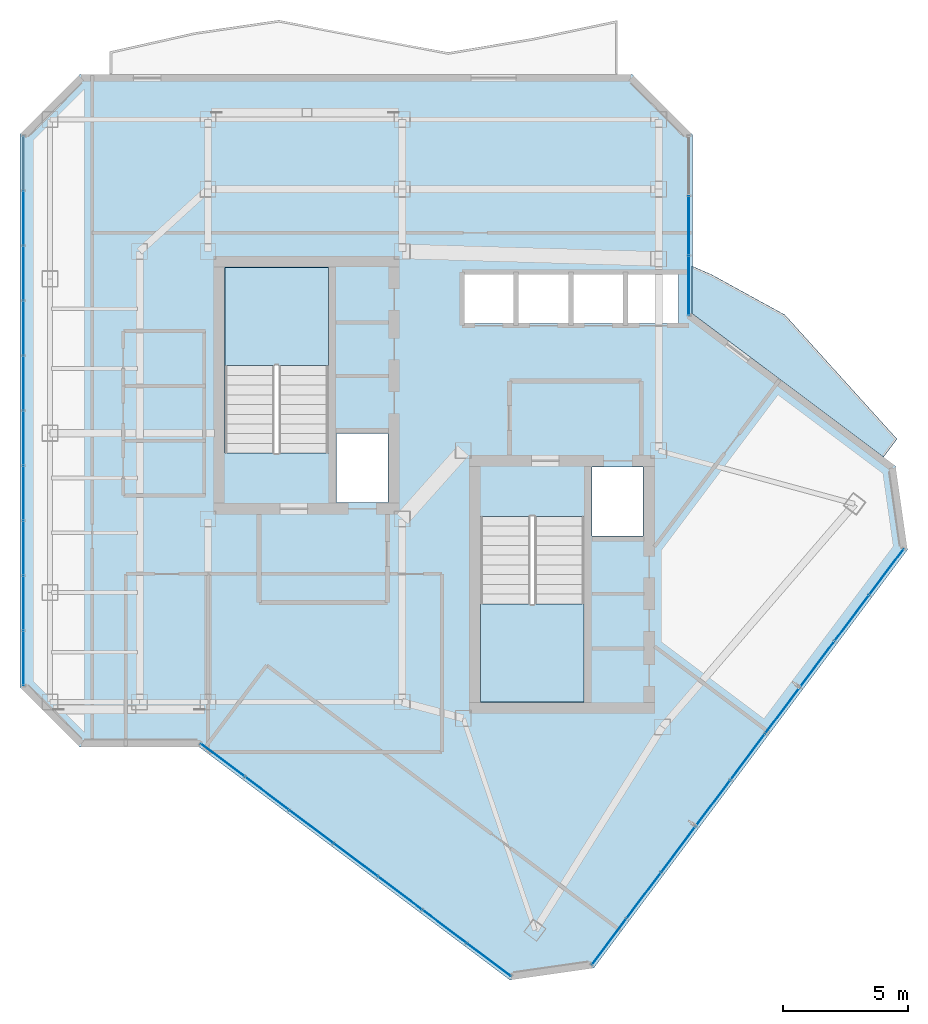
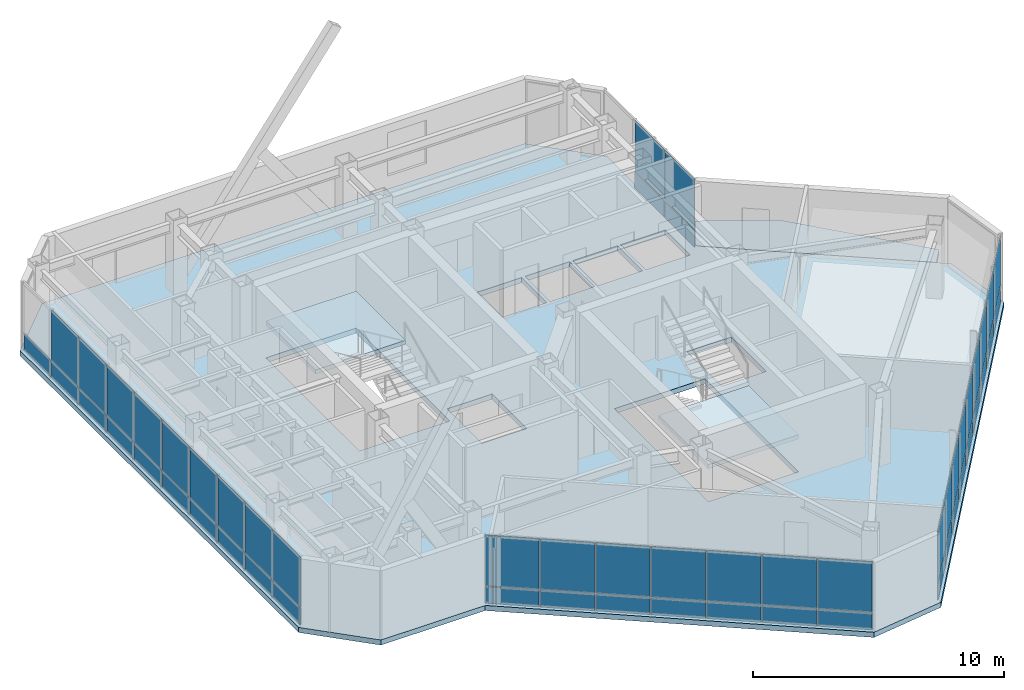
# One storey, part 16 of 22: 55 plates, 4 slabs, 6 elements without a shape of their own.
"""IFC4 building model written with IfcOpenShell, lengths in metres."""

from ifc_helpers import new_model, si_unit, direction, frame, origin, origin_2d, place, context, subcontext, project, spatial, polyline, rectangle, outline, extrude, material, layer, layer_set, type_object, element, aggregate, save


model = new_model("IFC4")

# Units and contexts
model_context = context("Model", 3, precision=1e-05, world=origin(), true_north=direction((0.0, 1.0)))
body_context = subcontext(model_context, "Body", "Model", "MODEL_VIEW")
ifc_project = project(units=[si_unit("LENGTHUNIT", "METRE"), si_unit("AREAUNIT", "SQUARE_METRE"), si_unit("VOLUMEUNIT", "CUBIC_METRE"), si_unit("PLANEANGLEUNIT", "RADIAN"), si_unit("MASSUNIT", "GRAM", prefix="KILO")], contexts=[model_context])

# Site, building, storey
site_placement = place(None, origin())
site = spatial("IfcSite", under=ifc_project, at=site_placement, CompositionType="ELEMENT")
building_placement = place(site_placement, origin())
building = spatial("IfcBuilding", under=site, at=building_placement, Name="Hatsunagi Terrace Concourse", CompositionType="ELEMENT")
storey_placement = place(building_placement, frame((0.0, 0.0, 239.550048828125)))
storey = spatial("IfcBuildingStorey", under=building, at=storey_placement, Name="L63", CompositionType="ELEMENT", Elevation=239.550048828125)

# Curtain wall, plates
ifc_material_1 = material(Name="Anodised Aluminium Alloy 6063-T5", Category="aluminium")
ifc_layer_1 = layer(ifc_material_1, 0.199951171875)
ifc_layer_set_1 = layer_set([ifc_layer_1], Name="OfficeZone2_CW04")
curtain_wall_type = type_object("IfcCurtainWallType", Name="OfficeZone2_CW04", PredefinedType="NOTDEFINED", material=ifc_layer_set_1)
curtain_wall_1_placement = place(storey_placement, origin())
curtain_wall_1 = element("IfcCurtainWall", 1, at=curtain_wall_1_placement, inside=storey, type_object=curtain_wall_type, Name="Unitised Curtain Wall CW-04 CW-L63-03", PredefinedType="NOTDEFINED")
ifc_material_2 = material(Name="Warm Terracotta Ceramic Spandrel Panel", Category="masonry")
ifc_layer_2 = layer(ifc_material_2, 0.031982421875)
ifc_layer_set_2 = layer_set([ifc_layer_2], Name="CurtainWallSpandrelPanel_32")
plate_type_1 = type_object("IfcPlateType", Name="CurtainWallSpandrelPanel_32", PredefinedType="SHEET", material=ifc_layer_set_2)
plate_1_placement = place(storey_placement, frame((52.797119140625, 30.429931640625, 0.030029296875), z_axis=(0.0, 0.0, 1.0), x_axis=(-0.599969314634, -0.800023013105, 0.0)))
plate_1 = element("IfcPlate", 2, at=plate_1_placement, type_object=plate_type_1, Name="Terracotta Spandrel Panel SPN-01", PredefinedType="SHEET", context=body_context, shape_type="SweptSolid", body=[
    extrude(rectangle(XDim=2.264892578125, YDim=0.031982421875, at=origin_2d()), origin(), (0.0, 0.0, 1.0), 0.7900390625),
])
plate_2_placement = place(storey_placement, frame((51.405029296875, 28.572998046875, 0.030029296875), z_axis=(0.0, 0.0, 1.0), x_axis=(-0.599969314634, -0.800023013105, 0.0)))
plate_2 = element("IfcPlate", 3, at=plate_2_placement, type_object=plate_type_1, Name="Terracotta Spandrel Panel SPN-01", PredefinedType="SHEET", context=body_context, shape_type="SweptSolid", body=[
    extrude(rectangle(XDim=2.264892578125, YDim=0.031982421875, at=origin_2d()), origin(), (0.0, 0.0, 1.0), 0.7900390625),
])
plate_3_placement = place(storey_placement, frame((50.011962890625, 26.717041015625, 0.030029296875), z_axis=(0.0, 0.0, 1.0), x_axis=(-0.599969314634, -0.800023013105, 0.0)))
plate_3 = element("IfcPlate", 4, at=plate_3_placement, type_object=plate_type_1, Name="Terracotta Spandrel Panel SPN-01", PredefinedType="SHEET", context=body_context, shape_type="SweptSolid", body=[
    extrude(rectangle(XDim=2.264892578125, YDim=0.031982421875, at=origin_2d()), origin(), (0.0, 0.0, 1.0), 0.7900390625),
])
plate_4_placement = place(storey_placement, frame((48.6201171875, 24.860107421875, 0.030029296875), z_axis=(0.0, 0.0, 1.0), x_axis=(-0.599969314634, -0.800023013105, 0.0)))
plate_4 = element("IfcPlate", 5, at=plate_4_placement, type_object=plate_type_1, Name="Terracotta Spandrel Panel SPN-01", PredefinedType="SHEET", context=body_context, shape_type="SweptSolid", body=[
    extrude(rectangle(XDim=2.264892578125, YDim=0.031982421875, at=origin_2d()), origin(), (0.0, 0.0, 1.0), 0.7900390625),
])
plate_5_placement = place(storey_placement, frame((47.22802734375, 23.00390625, 0.030029296875), z_axis=(0.0, 0.0, 1.0), x_axis=(-0.599969314634, -0.800023013105, 0.0)))
plate_5 = element("IfcPlate", 6, at=plate_5_placement, type_object=plate_type_1, Name="Terracotta Spandrel Panel SPN-01", PredefinedType="SHEET", context=body_context, shape_type="SweptSolid", body=[
    extrude(rectangle(XDim=2.264892578125, YDim=0.031982421875, at=origin_2d()), origin(), (0.0, 0.0, 1.0), 0.7900390625),
])
plate_6_placement = place(storey_placement, frame((45.8359375, 21.14794921875, 0.030029296875), z_axis=(0.0, 0.0, 1.0), x_axis=(-0.599969314634, -0.800023013105, 0.0)))
plate_6 = element("IfcPlate", 7, at=plate_6_placement, type_object=plate_type_1, Name="Terracotta Spandrel Panel SPN-01", PredefinedType="SHEET", context=body_context, shape_type="SweptSolid", body=[
    extrude(rectangle(XDim=2.264892578125, YDim=0.031982421875, at=origin_2d()), origin(), (0.0, 0.0, 1.0), 0.7900390625),
])
plate_7_placement = place(storey_placement, frame((44.444091796875, 19.291015625, 0.030029296875), z_axis=(0.0, 0.0, 1.0), x_axis=(-0.599969314634, -0.800023013105, 0.0)))
plate_7 = element("IfcPlate", 8, at=plate_7_placement, type_object=plate_type_1, Name="Terracotta Spandrel Panel SPN-01", PredefinedType="SHEET", context=body_context, shape_type="SweptSolid", body=[
    extrude(rectangle(XDim=2.264892578125, YDim=0.031982421875, at=origin_2d()), origin(), (0.0, 0.0, 1.0), 0.7900390625),
])
plate_8_placement = place(storey_placement, frame((43.051025390625, 17.43505859375, 0.030029296875), z_axis=(0.0, 0.0, 1.0), x_axis=(-0.599969314634, -0.800023013105, 0.0)))
plate_8 = element("IfcPlate", 9, at=plate_8_placement, type_object=plate_type_1, Name="Terracotta Spandrel Panel SPN-01", PredefinedType="SHEET", context=body_context, shape_type="SweptSolid", body=[
    extrude(rectangle(XDim=2.264892578125, YDim=0.031982421875, at=origin_2d()), origin(), (0.0, 0.0, 1.0), 0.7900390625),
])
plate_9_placement = place(storey_placement, frame((41.658935546875, 15.577880859375, 0.030029296875), z_axis=(0.0, 0.0, 1.0), x_axis=(-0.599969314634, -0.800023013105, 0.0)))
plate_9 = element("IfcPlate", 10, at=plate_9_placement, type_object=plate_type_1, Name="Terracotta Spandrel Panel SPN-01", PredefinedType="SHEET", context=body_context, shape_type="SweptSolid", body=[
    extrude(rectangle(XDim=2.264892578125, YDim=0.031982421875, at=origin_2d()), origin(), (0.0, 0.0, 1.0), 0.7900390625),
])

curtain_wall_2_placement = place(storey_placement, origin())
curtain_wall_2 = element("IfcCurtainWall", 11, at=curtain_wall_2_placement, inside=storey, type_object=curtain_wall_type, Name="Unitised Curtain Wall CW-04 CW-L63-05", PredefinedType="NOTDEFINED")
plate_10_placement = place(storey_placement, frame((36.826904296875, 14.85498046875, 0.030029296875), z_axis=(0.0, 0.0, 1.0), x_axis=(-0.800007305671, 0.599990258982, 0.0)))
plate_10 = element("IfcPlate", 12, at=plate_10_placement, type_object=plate_type_1, Name="Terracotta Spandrel Panel SPN-01", PredefinedType="SHEET", context=body_context, shape_type="SweptSolid", body=[
    extrude(rectangle(XDim=2.172119140625, YDim=0.031982421875, at=origin_2d()), origin(), (0.0, 0.0, 1.0), 0.7900390625),
])
plate_11_placement = place(storey_placement, frame((35.0458984375, 16.19091796875, 0.030029296875), z_axis=(0.0, 0.0, 1.0), x_axis=(-0.800007305671, 0.599990258982, 0.0)))
plate_11 = element("IfcPlate", 13, at=plate_11_placement, type_object=plate_type_1, Name="Terracotta Spandrel Panel SPN-01", PredefinedType="SHEET", context=body_context, shape_type="SweptSolid", body=[
    extrude(rectangle(XDim=2.172119140625, YDim=0.031982421875, at=origin_2d()), origin(), (0.0, 0.0, 1.0), 0.7900390625),
])
plate_12_placement = place(storey_placement, frame((33.263916015625, 17.527099609375, 0.030029296875), z_axis=(0.0, 0.0, 1.0), x_axis=(-0.800007305671, 0.599990258982, 0.0)))
plate_12 = element("IfcPlate", 14, at=plate_12_placement, type_object=plate_type_1, Name="Terracotta Spandrel Panel SPN-01", PredefinedType="SHEET", context=body_context, shape_type="SweptSolid", body=[
    extrude(rectangle(XDim=2.172119140625, YDim=0.031982421875, at=origin_2d()), origin(), (0.0, 0.0, 1.0), 0.7900390625),
])
plate_13_placement = place(storey_placement, frame((31.48291015625, 18.863037109375, 0.030029296875), z_axis=(0.0, 0.0, 1.0), x_axis=(-0.800007305671, 0.599990258982, 0.0)))
plate_13 = element("IfcPlate", 15, at=plate_13_placement, type_object=plate_type_1, Name="Terracotta Spandrel Panel SPN-01", PredefinedType="SHEET", context=body_context, shape_type="SweptSolid", body=[
    extrude(rectangle(XDim=2.172119140625, YDim=0.031982421875, at=origin_2d()), origin(), (0.0, 0.0, 1.0), 0.7900390625),
])
plate_14_placement = place(storey_placement, frame((29.700927734375, 20.199951171875, 0.030029296875), z_axis=(0.0, 0.0, 1.0), x_axis=(-0.800007305671, 0.599990258982, 0.0)))
plate_14 = element("IfcPlate", 16, at=plate_14_placement, type_object=plate_type_1, Name="Terracotta Spandrel Panel SPN-01", PredefinedType="SHEET", context=body_context, shape_type="SweptSolid", body=[
    extrude(rectangle(XDim=2.172119140625, YDim=0.031982421875, at=origin_2d()), origin(), (0.0, 0.0, 1.0), 0.7900390625),
])
plate_15_placement = place(storey_placement, frame((27.9189453125, 21.535888671875, 0.030029296875), z_axis=(0.0, 0.0, 1.0), x_axis=(-0.800007305671, 0.599990258982, 0.0)))
plate_15 = element("IfcPlate", 17, at=plate_15_placement, type_object=plate_type_1, Name="Terracotta Spandrel Panel SPN-01", PredefinedType="SHEET", context=body_context, shape_type="SweptSolid", body=[
    extrude(rectangle(XDim=2.172119140625, YDim=0.031982421875, at=origin_2d()), origin(), (0.0, 0.0, 1.0), 0.7900390625),
])
plate_16_placement = place(storey_placement, frame((26.137939453125, 22.8720703125, 0.030029296875), z_axis=(0.0, 0.0, 1.0), x_axis=(-0.800007305671, 0.599990258982, 0.0)))
plate_16 = element("IfcPlate", 18, at=plate_16_placement, type_object=plate_type_1, Name="Terracotta Spandrel Panel SPN-01", PredefinedType="SHEET", context=body_context, shape_type="SweptSolid", body=[
    extrude(rectangle(XDim=2.172119140625, YDim=0.031982421875, at=origin_2d()), origin(), (0.0, 0.0, 1.0), 0.7900390625),
])

curtain_wall_3_placement = place(storey_placement, origin())
curtain_wall_3 = element("IfcCurtainWall", 19, at=curtain_wall_3_placement, inside=storey, type_object=curtain_wall_type, Name="Unitised Curtain Wall CW-04 CW-L63-08", PredefinedType="NOTDEFINED")
plate_17_placement = place(storey_placement, frame((18.139892578125, 26.9619140625, 0.030029296875), z_axis=(0.0, 0.0, 1.0), x_axis=(0.0, 1.0, 0.0)))
plate_17 = element("IfcPlate", 20, at=plate_17_placement, type_object=plate_type_1, Name="Terracotta Spandrel Panel SPN-01", PredefinedType="SHEET", context=body_context, shape_type="SweptSolid", body=[
    extrude(rectangle(XDim=2.153076171875, YDim=0.031982421875, at=origin_2d()), origin(), (0.0, 0.0, 1.0), 0.7900390625),
])
plate_18_placement = place(storey_placement, frame((18.139892578125, 29.1708984375, 0.030029296875), z_axis=(0.0, 0.0, 1.0), x_axis=(0.0, 1.0, 0.0)))
plate_18 = element("IfcPlate", 21, at=plate_18_placement, type_object=plate_type_1, Name="Terracotta Spandrel Panel SPN-01", PredefinedType="SHEET", context=body_context, shape_type="SweptSolid", body=[
    extrude(rectangle(XDim=2.153076171875, YDim=0.031982421875, at=origin_2d()), origin(), (0.0, 0.0, 1.0), 0.7900390625),
])
plate_19_placement = place(storey_placement, frame((18.139892578125, 31.37890625, 0.030029296875), z_axis=(0.0, 0.0, 1.0), x_axis=(0.0, 1.0, 0.0)))
plate_19 = element("IfcPlate", 22, at=plate_19_placement, type_object=plate_type_1, Name="Terracotta Spandrel Panel SPN-01", PredefinedType="SHEET", context=body_context, shape_type="SweptSolid", body=[
    extrude(rectangle(XDim=2.153076171875, YDim=0.031982421875, at=origin_2d()), origin(), (0.0, 0.0, 1.0), 0.7900390625),
])
plate_20_placement = place(storey_placement, frame((18.139892578125, 33.5869140625, 0.030029296875), z_axis=(0.0, 0.0, 1.0), x_axis=(0.0, 1.0, 0.0)))
plate_20 = element("IfcPlate", 23, at=plate_20_placement, type_object=plate_type_1, Name="Terracotta Spandrel Panel SPN-01", PredefinedType="SHEET", context=body_context, shape_type="SweptSolid", body=[
    extrude(rectangle(XDim=2.153076171875, YDim=0.031982421875, at=origin_2d()), origin(), (0.0, 0.0, 1.0), 0.7900390625),
])
plate_21_placement = place(storey_placement, frame((18.139892578125, 35.7958984375, 0.030029296875), z_axis=(0.0, 0.0, 1.0), x_axis=(0.0, 1.0, 0.0)))
plate_21 = element("IfcPlate", 24, at=plate_21_placement, type_object=plate_type_1, Name="Terracotta Spandrel Panel SPN-01", PredefinedType="SHEET", context=body_context, shape_type="SweptSolid", body=[
    extrude(rectangle(XDim=2.153076171875, YDim=0.031982421875, at=origin_2d()), origin(), (0.0, 0.0, 1.0), 0.7900390625),
])
plate_22_placement = place(storey_placement, frame((18.139892578125, 38.00390625, 0.030029296875), z_axis=(0.0, 0.0, 1.0), x_axis=(0.0, 1.0, 0.0)))
plate_22 = element("IfcPlate", 25, at=plate_22_placement, type_object=plate_type_1, Name="Terracotta Spandrel Panel SPN-01", PredefinedType="SHEET", context=body_context, shape_type="SweptSolid", body=[
    extrude(rectangle(XDim=2.153076171875, YDim=0.031982421875, at=origin_2d()), origin(), (0.0, 0.0, 1.0), 0.7900390625),
])
plate_23_placement = place(storey_placement, frame((18.139892578125, 40.212890625, 0.030029296875), z_axis=(0.0, 0.0, 1.0), x_axis=(0.0, 1.0, 0.0)))
plate_23 = element("IfcPlate", 26, at=plate_23_placement, type_object=plate_type_1, Name="Terracotta Spandrel Panel SPN-01", PredefinedType="SHEET", context=body_context, shape_type="SweptSolid", body=[
    extrude(rectangle(XDim=2.153076171875, YDim=0.031982421875, at=origin_2d()), origin(), (0.0, 0.0, 1.0), 0.7900390625),
])
plate_24_placement = place(storey_placement, frame((18.139892578125, 42.4208984375, 0.030029296875), z_axis=(0.0, 0.0, 1.0), x_axis=(0.0, 1.0, 0.0)))
plate_24 = element("IfcPlate", 27, at=plate_24_placement, type_object=plate_type_1, Name="Terracotta Spandrel Panel SPN-01", PredefinedType="SHEET", context=body_context, shape_type="SweptSolid", body=[
    extrude(rectangle(XDim=2.153076171875, YDim=0.031982421875, at=origin_2d()), origin(), (0.0, 0.0, 1.0), 0.7900390625),
])
plate_25_placement = place(storey_placement, frame((18.139892578125, 44.62890625, 0.030029296875), z_axis=(0.0, 0.0, 1.0), x_axis=(0.0, 1.0, 0.0)))
plate_25 = element("IfcPlate", 28, at=plate_25_placement, type_object=plate_type_1, Name="Terracotta Spandrel Panel SPN-01", PredefinedType="SHEET", context=body_context, shape_type="SweptSolid", body=[
    extrude(rectangle(XDim=2.153076171875, YDim=0.031982421875, at=origin_2d()), origin(), (0.0, 0.0, 1.0), 0.7900390625),
])
plate_26_placement = place(storey_placement, frame((18.139892578125, 46.837890625, 0.030029296875), z_axis=(0.0, 0.0, 1.0), x_axis=(0.0, 1.0, 0.0)))
plate_26 = element("IfcPlate", 29, at=plate_26_placement, type_object=plate_type_1, Name="Terracotta Spandrel Panel SPN-01", PredefinedType="SHEET", context=body_context, shape_type="SweptSolid", body=[
    extrude(rectangle(XDim=2.153076171875, YDim=0.031982421875, at=origin_2d()), origin(), (0.0, 0.0, 1.0), 0.7900390625),
])

curtain_wall_4_placement = place(storey_placement, origin())
curtain_wall_4 = element("IfcCurtainWall", 30, at=curtain_wall_4_placement, inside=storey, type_object=curtain_wall_type, Name="Unitised Curtain Wall CW-04 CW-L63-12", PredefinedType="NOTDEFINED")
plate_27_placement = place(storey_placement, frame((44.860107421875, 44.3359375, 0.030029296875), z_axis=(0.0, 0.0, 1.0), x_axis=(0.0, -1.0, 0.0)))
plate_27 = element("IfcPlate", 31, at=plate_27_placement, type_object=plate_type_1, Name="Terracotta Spandrel Panel SPN-01", PredefinedType="SHEET", context=body_context, shape_type="SweptSolid", body=[
    extrude(rectangle(XDim=2.34912109375, YDim=0.031982421875, at=origin_2d()), origin(), (0.0, 0.0, 1.0), 0.7900390625),
])
plate_28_placement = place(storey_placement, frame((44.860107421875, 41.931884765625, 0.030029296875), z_axis=(0.0, 0.0, 1.0), x_axis=(0.0, -1.0, 0.0)))
plate_28 = element("IfcPlate", 32, at=plate_28_placement, type_object=plate_type_1, Name="Terracotta Spandrel Panel SPN-01", PredefinedType="SHEET", context=body_context, shape_type="SweptSolid", body=[
    extrude(rectangle(XDim=2.34912109375, YDim=0.031982421875, at=origin_2d()), origin(), (0.0, 0.0, 1.0), 0.7900390625),
])

# Plate
ifc_material_3 = material(Name="Low-E Double Insulating Glass 28mm", Category="glass")
ifc_layer_3 = layer(ifc_material_3, 0.028076171875)
ifc_layer_set_3 = layer_set([ifc_layer_3], Name="CurtainWallVisionGlass_28")
plate_type_2 = type_object("IfcPlateType", Name="CurtainWallVisionGlass_28", PredefinedType="CURTAIN_PANEL", material=ifc_layer_set_3)
plate_29_placement = place(storey_placement, frame((52.797119140625, 30.429931640625, 0.8798828125), z_axis=(0.0, 0.0, 1.0), x_axis=(-0.599969314634, -0.800023013105, 0.0)))
plate_29 = element("IfcPlate", 33, at=plate_29_placement, type_object=plate_type_2, Name="Low-E Vision Glass Panel GLZ-01", PredefinedType="CURTAIN_PANEL", context=body_context, shape_type="SweptSolid", body=[
    extrude(rectangle(XDim=2.264892578125, YDim=0.028076171875, at=origin_2d()), origin(), (0.0, 0.0, 1.0), 2.43994140625),
])

plate_30_placement = place(storey_placement, frame((51.405029296875, 28.572998046875, 0.8798828125), z_axis=(0.0, 0.0, 1.0), x_axis=(-0.599969314634, -0.800023013105, 0.0)))
plate_30 = element("IfcPlate", 34, at=plate_30_placement, type_object=plate_type_2, Name="Low-E Vision Glass Panel GLZ-01", PredefinedType="CURTAIN_PANEL", context=body_context, shape_type="SweptSolid", body=[
    extrude(rectangle(XDim=2.264892578125, YDim=0.028076171875, at=origin_2d()), origin(), (0.0, 0.0, 1.0), 2.43994140625),
])

plate_31_placement = place(storey_placement, frame((50.011962890625, 26.717041015625, 0.8798828125), z_axis=(0.0, 0.0, 1.0), x_axis=(-0.599969314634, -0.800023013105, 0.0)))
plate_31 = element("IfcPlate", 35, at=plate_31_placement, type_object=plate_type_2, Name="Low-E Vision Glass Panel GLZ-01", PredefinedType="CURTAIN_PANEL", context=body_context, shape_type="SweptSolid", body=[
    extrude(rectangle(XDim=2.264892578125, YDim=0.028076171875, at=origin_2d()), origin(), (0.0, 0.0, 1.0), 2.43994140625),
])

plate_32_placement = place(storey_placement, frame((48.6201171875, 24.860107421875, 0.8798828125), z_axis=(0.0, 0.0, 1.0), x_axis=(-0.599969314634, -0.800023013105, 0.0)))
plate_32 = element("IfcPlate", 36, at=plate_32_placement, type_object=plate_type_2, Name="Low-E Vision Glass Panel GLZ-01", PredefinedType="CURTAIN_PANEL", context=body_context, shape_type="SweptSolid", body=[
    extrude(rectangle(XDim=2.264892578125, YDim=0.028076171875, at=origin_2d()), origin(), (0.0, 0.0, 1.0), 2.43994140625),
])

plate_33_placement = place(storey_placement, frame((47.22802734375, 23.00390625, 0.8798828125), z_axis=(0.0, 0.0, 1.0), x_axis=(-0.599969314634, -0.800023013105, 0.0)))
plate_33 = element("IfcPlate", 37, at=plate_33_placement, type_object=plate_type_2, Name="Low-E Vision Glass Panel GLZ-01", PredefinedType="CURTAIN_PANEL", context=body_context, shape_type="SweptSolid", body=[
    extrude(rectangle(XDim=2.264892578125, YDim=0.028076171875, at=origin_2d()), origin(), (0.0, 0.0, 1.0), 2.43994140625),
])

plate_34_placement = place(storey_placement, frame((45.8359375, 21.14794921875, 0.8798828125), z_axis=(0.0, 0.0, 1.0), x_axis=(-0.599969314634, -0.800023013105, 0.0)))
plate_34 = element("IfcPlate", 38, at=plate_34_placement, type_object=plate_type_2, Name="Low-E Vision Glass Panel GLZ-01", PredefinedType="CURTAIN_PANEL", context=body_context, shape_type="SweptSolid", body=[
    extrude(rectangle(XDim=2.264892578125, YDim=0.028076171875, at=origin_2d()), origin(), (0.0, 0.0, 1.0), 2.43994140625),
])

plate_35_placement = place(storey_placement, frame((44.444091796875, 19.291015625, 0.8798828125), z_axis=(0.0, 0.0, 1.0), x_axis=(-0.599969314634, -0.800023013105, 0.0)))
plate_35 = element("IfcPlate", 39, at=plate_35_placement, type_object=plate_type_2, Name="Low-E Vision Glass Panel GLZ-01", PredefinedType="CURTAIN_PANEL", context=body_context, shape_type="SweptSolid", body=[
    extrude(rectangle(XDim=2.264892578125, YDim=0.028076171875, at=origin_2d()), origin(), (0.0, 0.0, 1.0), 2.43994140625),
])

plate_36_placement = place(storey_placement, frame((43.051025390625, 17.43505859375, 0.8798828125), z_axis=(0.0, 0.0, 1.0), x_axis=(-0.599969314634, -0.800023013105, 0.0)))
plate_36 = element("IfcPlate", 40, at=plate_36_placement, type_object=plate_type_2, Name="Low-E Vision Glass Panel GLZ-01", PredefinedType="CURTAIN_PANEL", context=body_context, shape_type="SweptSolid", body=[
    extrude(rectangle(XDim=2.264892578125, YDim=0.028076171875, at=origin_2d()), origin(), (0.0, 0.0, 1.0), 2.43994140625),
])

plate_37_placement = place(storey_placement, frame((41.658935546875, 15.577880859375, 0.8798828125), z_axis=(0.0, 0.0, 1.0), x_axis=(-0.599969314634, -0.800023013105, 0.0)))
plate_37 = element("IfcPlate", 41, at=plate_37_placement, type_object=plate_type_2, Name="Low-E Vision Glass Panel GLZ-01", PredefinedType="CURTAIN_PANEL", context=body_context, shape_type="SweptSolid", body=[
    extrude(rectangle(XDim=2.264892578125, YDim=0.028076171875, at=origin_2d()), origin(), (0.0, 0.0, 1.0), 2.43994140625),
])

aggregate(curtain_wall_1, [plate_1, plate_29, plate_2, plate_30, plate_3, plate_31, plate_4, plate_32, plate_5, plate_33, plate_6, plate_34, plate_7, plate_35, plate_8, plate_36, plate_9, plate_37])

plate_38_placement = place(storey_placement, frame((36.826904296875, 14.85498046875, 0.8798828125), z_axis=(0.0, 0.0, 1.0), x_axis=(-0.800007305671, 0.599990258982, 0.0)))
plate_38 = element("IfcPlate", 42, at=plate_38_placement, type_object=plate_type_2, Name="Low-E Vision Glass Panel GLZ-01", PredefinedType="CURTAIN_PANEL", context=body_context, shape_type="SweptSolid", body=[
    extrude(rectangle(XDim=2.172119140625, YDim=0.028076171875, at=origin_2d()), origin(), (0.0, 0.0, 1.0), 2.43994140625),
])

plate_39_placement = place(storey_placement, frame((35.0458984375, 16.19091796875, 0.8798828125), z_axis=(0.0, 0.0, 1.0), x_axis=(-0.800007305671, 0.599990258982, 0.0)))
plate_39 = element("IfcPlate", 43, at=plate_39_placement, type_object=plate_type_2, Name="Low-E Vision Glass Panel GLZ-01", PredefinedType="CURTAIN_PANEL", context=body_context, shape_type="SweptSolid", body=[
    extrude(rectangle(XDim=2.172119140625, YDim=0.028076171875, at=origin_2d()), origin(), (0.0, 0.0, 1.0), 2.43994140625),
])

plate_40_placement = place(storey_placement, frame((33.263916015625, 17.527099609375, 0.8798828125), z_axis=(0.0, 0.0, 1.0), x_axis=(-0.800007305671, 0.599990258982, 0.0)))
plate_40 = element("IfcPlate", 44, at=plate_40_placement, type_object=plate_type_2, Name="Low-E Vision Glass Panel GLZ-01", PredefinedType="CURTAIN_PANEL", context=body_context, shape_type="SweptSolid", body=[
    extrude(rectangle(XDim=2.172119140625, YDim=0.028076171875, at=origin_2d()), origin(), (0.0, 0.0, 1.0), 2.43994140625),
])

plate_41_placement = place(storey_placement, frame((31.48291015625, 18.863037109375, 0.8798828125), z_axis=(0.0, 0.0, 1.0), x_axis=(-0.800007305671, 0.599990258982, 0.0)))
plate_41 = element("IfcPlate", 45, at=plate_41_placement, type_object=plate_type_2, Name="Low-E Vision Glass Panel GLZ-01", PredefinedType="CURTAIN_PANEL", context=body_context, shape_type="SweptSolid", body=[
    extrude(rectangle(XDim=2.172119140625, YDim=0.028076171875, at=origin_2d()), origin(), (0.0, 0.0, 1.0), 2.43994140625),
])

plate_42_placement = place(storey_placement, frame((29.700927734375, 20.199951171875, 0.8798828125), z_axis=(0.0, 0.0, 1.0), x_axis=(-0.800007305671, 0.599990258982, 0.0)))
plate_42 = element("IfcPlate", 46, at=plate_42_placement, type_object=plate_type_2, Name="Low-E Vision Glass Panel GLZ-01", PredefinedType="CURTAIN_PANEL", context=body_context, shape_type="SweptSolid", body=[
    extrude(rectangle(XDim=2.172119140625, YDim=0.028076171875, at=origin_2d()), origin(), (0.0, 0.0, 1.0), 2.43994140625),
])

plate_43_placement = place(storey_placement, frame((27.9189453125, 21.535888671875, 0.8798828125), z_axis=(0.0, 0.0, 1.0), x_axis=(-0.800007305671, 0.599990258982, 0.0)))
plate_43 = element("IfcPlate", 47, at=plate_43_placement, type_object=plate_type_2, Name="Low-E Vision Glass Panel GLZ-01", PredefinedType="CURTAIN_PANEL", context=body_context, shape_type="SweptSolid", body=[
    extrude(rectangle(XDim=2.172119140625, YDim=0.028076171875, at=origin_2d()), origin(), (0.0, 0.0, 1.0), 2.43994140625),
])

plate_44_placement = place(storey_placement, frame((26.137939453125, 22.8720703125, 0.8798828125), z_axis=(0.0, 0.0, 1.0), x_axis=(-0.800007305671, 0.599990258982, 0.0)))
plate_44 = element("IfcPlate", 48, at=plate_44_placement, type_object=plate_type_2, Name="Low-E Vision Glass Panel GLZ-01", PredefinedType="CURTAIN_PANEL", context=body_context, shape_type="SweptSolid", body=[
    extrude(rectangle(XDim=2.172119140625, YDim=0.028076171875, at=origin_2d()), origin(), (0.0, 0.0, 1.0), 2.43994140625),
])

aggregate(curtain_wall_2, [plate_10, plate_38, plate_11, plate_39, plate_12, plate_40, plate_13, plate_41, plate_14, plate_42, plate_15, plate_43, plate_16, plate_44])

plate_45_placement = place(storey_placement, frame((18.139892578125, 26.9619140625, 0.8798828125), z_axis=(0.0, 0.0, 1.0), x_axis=(0.0, 1.0, 0.0)))
plate_45 = element("IfcPlate", 49, at=plate_45_placement, type_object=plate_type_2, Name="Low-E Vision Glass Panel GLZ-01", PredefinedType="CURTAIN_PANEL", context=body_context, shape_type="SweptSolid", body=[
    extrude(rectangle(XDim=2.153076171875, YDim=0.028076171875, at=origin_2d()), origin(), (0.0, 0.0, 1.0), 2.43994140625),
])

plate_46_placement = place(storey_placement, frame((18.139892578125, 29.1708984375, 0.8798828125), z_axis=(0.0, 0.0, 1.0), x_axis=(0.0, 1.0, 0.0)))
plate_46 = element("IfcPlate", 50, at=plate_46_placement, type_object=plate_type_2, Name="Low-E Vision Glass Panel GLZ-01", PredefinedType="CURTAIN_PANEL", context=body_context, shape_type="SweptSolid", body=[
    extrude(rectangle(XDim=2.153076171875, YDim=0.028076171875, at=origin_2d()), origin(), (0.0, 0.0, 1.0), 2.43994140625),
])

plate_47_placement = place(storey_placement, frame((18.139892578125, 31.37890625, 0.8798828125), z_axis=(0.0, 0.0, 1.0), x_axis=(0.0, 1.0, 0.0)))
plate_47 = element("IfcPlate", 51, at=plate_47_placement, type_object=plate_type_2, Name="Low-E Vision Glass Panel GLZ-01", PredefinedType="CURTAIN_PANEL", context=body_context, shape_type="SweptSolid", body=[
    extrude(rectangle(XDim=2.153076171875, YDim=0.028076171875, at=origin_2d()), origin(), (0.0, 0.0, 1.0), 2.43994140625),
])

plate_48_placement = place(storey_placement, frame((18.139892578125, 33.5869140625, 0.8798828125), z_axis=(0.0, 0.0, 1.0), x_axis=(0.0, 1.0, 0.0)))
plate_48 = element("IfcPlate", 52, at=plate_48_placement, type_object=plate_type_2, Name="Low-E Vision Glass Panel GLZ-01", PredefinedType="CURTAIN_PANEL", context=body_context, shape_type="SweptSolid", body=[
    extrude(rectangle(XDim=2.153076171875, YDim=0.028076171875, at=origin_2d()), origin(), (0.0, 0.0, 1.0), 2.43994140625),
])

plate_49_placement = place(storey_placement, frame((18.139892578125, 35.7958984375, 0.8798828125), z_axis=(0.0, 0.0, 1.0), x_axis=(0.0, 1.0, 0.0)))
plate_49 = element("IfcPlate", 53, at=plate_49_placement, type_object=plate_type_2, Name="Low-E Vision Glass Panel GLZ-01", PredefinedType="CURTAIN_PANEL", context=body_context, shape_type="SweptSolid", body=[
    extrude(rectangle(XDim=2.153076171875, YDim=0.028076171875, at=origin_2d()), origin(), (0.0, 0.0, 1.0), 2.43994140625),
])

plate_50_placement = place(storey_placement, frame((18.139892578125, 38.00390625, 0.8798828125), z_axis=(0.0, 0.0, 1.0), x_axis=(0.0, 1.0, 0.0)))
plate_50 = element("IfcPlate", 54, at=plate_50_placement, type_object=plate_type_2, Name="Low-E Vision Glass Panel GLZ-01", PredefinedType="CURTAIN_PANEL", context=body_context, shape_type="SweptSolid", body=[
    extrude(rectangle(XDim=2.153076171875, YDim=0.028076171875, at=origin_2d()), origin(), (0.0, 0.0, 1.0), 2.43994140625),
])

plate_51_placement = place(storey_placement, frame((18.139892578125, 40.212890625, 0.8798828125), z_axis=(0.0, 0.0, 1.0), x_axis=(0.0, 1.0, 0.0)))
plate_51 = element("IfcPlate", 55, at=plate_51_placement, type_object=plate_type_2, Name="Low-E Vision Glass Panel GLZ-01", PredefinedType="CURTAIN_PANEL", context=body_context, shape_type="SweptSolid", body=[
    extrude(rectangle(XDim=2.153076171875, YDim=0.028076171875, at=origin_2d()), origin(), (0.0, 0.0, 1.0), 2.43994140625),
])

plate_52_placement = place(storey_placement, frame((18.139892578125, 42.4208984375, 0.8798828125), z_axis=(0.0, 0.0, 1.0), x_axis=(0.0, 1.0, 0.0)))
plate_52 = element("IfcPlate", 56, at=plate_52_placement, type_object=plate_type_2, Name="Low-E Vision Glass Panel GLZ-01", PredefinedType="CURTAIN_PANEL", context=body_context, shape_type="SweptSolid", body=[
    extrude(rectangle(XDim=2.153076171875, YDim=0.028076171875, at=origin_2d()), origin(), (0.0, 0.0, 1.0), 2.43994140625),
])

plate_53_placement = place(storey_placement, frame((18.139892578125, 44.62890625, 0.8798828125), z_axis=(0.0, 0.0, 1.0), x_axis=(0.0, 1.0, 0.0)))
plate_53 = element("IfcPlate", 57, at=plate_53_placement, type_object=plate_type_2, Name="Low-E Vision Glass Panel GLZ-01", PredefinedType="CURTAIN_PANEL", context=body_context, shape_type="SweptSolid", body=[
    extrude(rectangle(XDim=2.153076171875, YDim=0.028076171875, at=origin_2d()), origin(), (0.0, 0.0, 1.0), 2.43994140625),
])

aggregate(curtain_wall_3, [plate_17, plate_45, plate_18, plate_46, plate_19, plate_47, plate_20, plate_48, plate_21, plate_49, plate_22, plate_50, plate_23, plate_51, plate_24, plate_52, plate_25, plate_53, plate_26])

plate_54_placement = place(storey_placement, frame((44.860107421875, 44.3359375, 0.8798828125), z_axis=(0.0, 0.0, 1.0), x_axis=(0.0, -1.0, 0.0)))
plate_54 = element("IfcPlate", 58, at=plate_54_placement, type_object=plate_type_2, Name="Low-E Vision Glass Panel GLZ-01", PredefinedType="CURTAIN_PANEL", context=body_context, shape_type="SweptSolid", body=[
    extrude(rectangle(XDim=2.34912109375, YDim=0.028076171875, at=origin_2d()), origin(), (0.0, 0.0, 1.0), 2.43994140625),
])

plate_55_placement = place(storey_placement, frame((44.860107421875, 41.931884765625, 0.8798828125), z_axis=(0.0, 0.0, 1.0), x_axis=(0.0, -1.0, 0.0)))
plate_55 = element("IfcPlate", 59, at=plate_55_placement, type_object=plate_type_2, Name="Low-E Vision Glass Panel GLZ-01", PredefinedType="CURTAIN_PANEL", context=body_context, shape_type="SweptSolid", body=[
    extrude(rectangle(XDim=2.34912109375, YDim=0.028076171875, at=origin_2d()), origin(), (0.0, 0.0, 1.0), 2.43994140625),
])

aggregate(curtain_wall_4, [plate_27, plate_54, plate_28, plate_55])

# Stair, slab
ifc_material_4 = material(Name="Concrete Fc42", Category="concrete")
stair_type = type_object("IfcStairType", Name="DoglegExitStair_Tower2000_20R_180", PredefinedType="HALF_TURN_STAIR", material=ifc_material_4)
stair_1_placement = place(storey_placement, origin())
stair_1 = element("IfcStair", 60, at=stair_1_placement, inside=storey, type_object=stair_type, Name="L63 Core A Protected Exit Stair ST-A", PredefinedType="HALF_TURN_STAIR")
ifc_material_5 = material(Name="Concrete Fc42", Category="concrete")
ifc_layer_4 = layer(ifc_material_5, 0.199951171875)
ifc_layer_set_4 = layer_set([ifc_layer_4], Name="DoglegStairLanding_Tower2000")
slab_type_1 = type_object("IfcSlabType", Name="DoglegStairLanding_Tower2000", PredefinedType="LANDING", material=ifc_layer_set_4)
slab_1_placement = place(storey_placement, frame((0.0, 0.0, 1.599853515625)))
slab_1 = element("IfcSlab", 61, at=slab_1_placement, type_object=slab_type_1, Name="ST-A landing 1", PredefinedType="LANDING", context=body_context, shape_type="SweptSolid", body=[
    extrude(outline(polyline([(30.3798828125, 38.7099609375), (30.3798828125, 42.659912109375), (26.22998046875, 42.659912109375), (26.22998046875, 38.7099609375), (30.3798828125, 38.7099609375)])), origin(), (0.0, 0.0, 1.0), 0.2001953125),
])
aggregate(stair_1, [slab_1])

stair_2_placement = place(storey_placement, origin())
stair_2 = element("IfcStair", 62, at=stair_2_placement, inside=storey, type_object=stair_type, Name="L63 Core B Protected Exit Stair ST-B", PredefinedType="HALF_TURN_STAIR")
slab_2_placement = place(storey_placement, frame((0.0, 0.0, 1.599853515625)))
slab_2 = element("IfcSlab", 63, at=slab_2_placement, type_object=slab_type_1, Name="ST-B landing 1", PredefinedType="LANDING", context=body_context, shape_type="SweptSolid", body=[
    extrude(outline(polyline([(36.5, 29.14990234375), (36.5, 25.199951171875), (40.64990234375, 25.199951171875), (40.64990234375, 29.14990234375), (36.5, 29.14990234375)])), origin(), (0.0, 0.0, 1.0), 0.2001953125),
])
aggregate(stair_2, [slab_2])

# Slabs
ifc_material_6 = material(Name="Concrete Fc42", Category="concrete")
ifc_layer_5 = layer(ifc_material_6, 0.199951171875)
ifc_layer_set_5 = layer_set([ifc_layer_5], Name="EngawaBalconySlab_Fc42_200")
slab_type_2 = type_object("IfcSlabType", Name="EngawaBalconySlab_Fc42_200", PredefinedType="FLOOR", material=ifc_layer_set_5)
slab_3_placement = place(storey_placement, frame((0.0, 0.0, -0.199951171875)))
element("IfcSlab", 64, at=slab_3_placement, inside=storey, type_object=slab_type_2, Name="Engawa Balcony Slab BAL-L63-BSE", PredefinedType="FLOOR", context=body_context, shape_type="SweptSolid", body=[
    extrude(outline(polyline([(45.7939453125, 42.35888671875), (44.99609375, 42.708984375), (44.99609375, 40.802978515625), (52.679931640625, 35.0400390625), (53.222900390625, 35.763916015625), (48.716064453125, 40.7548828125), (45.7939453125, 42.35888671875)])), origin(), (0.0, 0.0, 1.0), 0.199951171875),
])
ifc_material_7 = material(Name="Concrete Fc42", Category="concrete")
ifc_layer_6 = layer(ifc_material_7, 0.25)
ifc_layer_set_6 = layer_set([ifc_layer_6], Name="OfficeCrownSlab_Fc42_250")
slab_type_3 = type_object("IfcSlabType", Name="OfficeCrownSlab_Fc42_250", PredefinedType="FLOOR", material=ifc_layer_set_6)
slab_4_placement = place(storey_placement, frame((0.0, 0.0, -0.25)))
element("IfcSlab", 65, at=slab_4_placement, inside=storey, type_object=slab_type_3, Name="Floor Slab SL-250 L63", PredefinedType="FLOOR", context=body_context, shape_type="SweptSolid", body=[
    extrude(outline(polyline([(45.0, 40.800048828125), (45.0, 48.0), (42.60009765625, 50.39990234375), (20.39990234375, 50.39990234375), (18.0, 48.0), (18.0, 25.800048828125), (20.39990234375, 23.39990234375), (25.199951171875, 23.39990234375), (37.679931640625, 14.0400390625), (41.0400390625, 14.52001953125), (53.639892578125, 31.320068359375), (53.159912109375, 34.679931640625), (45.0, 40.800048828125)]), holes=[polyline([(26.22998046875, 35.205078125), (30.3798828125, 35.205078125), (30.3798828125, 42.659912109375), (26.22998046875, 42.659912109375), (26.22998046875, 35.205078125)]), polyline([(36.5, 25.199951171875), (40.64990234375, 25.199951171875), (40.64990234375, 32.655029296875), (36.5, 32.655029296875), (36.5, 25.199951171875)]), polyline([(30.719970703125, 33.219970703125), (32.780029296875, 33.219970703125), (32.780029296875, 35.97998046875), (30.719970703125, 35.97998046875), (30.719970703125, 33.219970703125)]), polyline([(40.97998046875, 31.8798828125), (43.02001953125, 31.8798828125), (43.02001953125, 34.639892578125), (40.97998046875, 34.639892578125), (40.97998046875, 31.8798828125)]), polyline([(35.800048828125, 40.39990234375), (37.85009765625, 40.39990234375), (37.85009765625, 42.39990234375), (35.800048828125, 42.39990234375), (35.800048828125, 40.39990234375)]), polyline([(38.0, 40.39990234375), (40.050048828125, 40.39990234375), (40.050048828125, 42.39990234375), (38.0, 42.39990234375), (38.0, 40.39990234375)]), polyline([(40.199951171875, 40.39990234375), (42.25, 40.39990234375), (42.25, 42.39990234375), (40.199951171875, 42.39990234375), (40.199951171875, 40.39990234375)]), polyline([(42.39990234375, 40.39990234375), (44.449951171875, 40.39990234375), (44.449951171875, 42.39990234375), (42.39990234375, 42.39990234375), (42.39990234375, 40.39990234375)])]), origin(), (0.0, 0.0, 1.0), 0.25),
])

save(model, "model.ifc")
